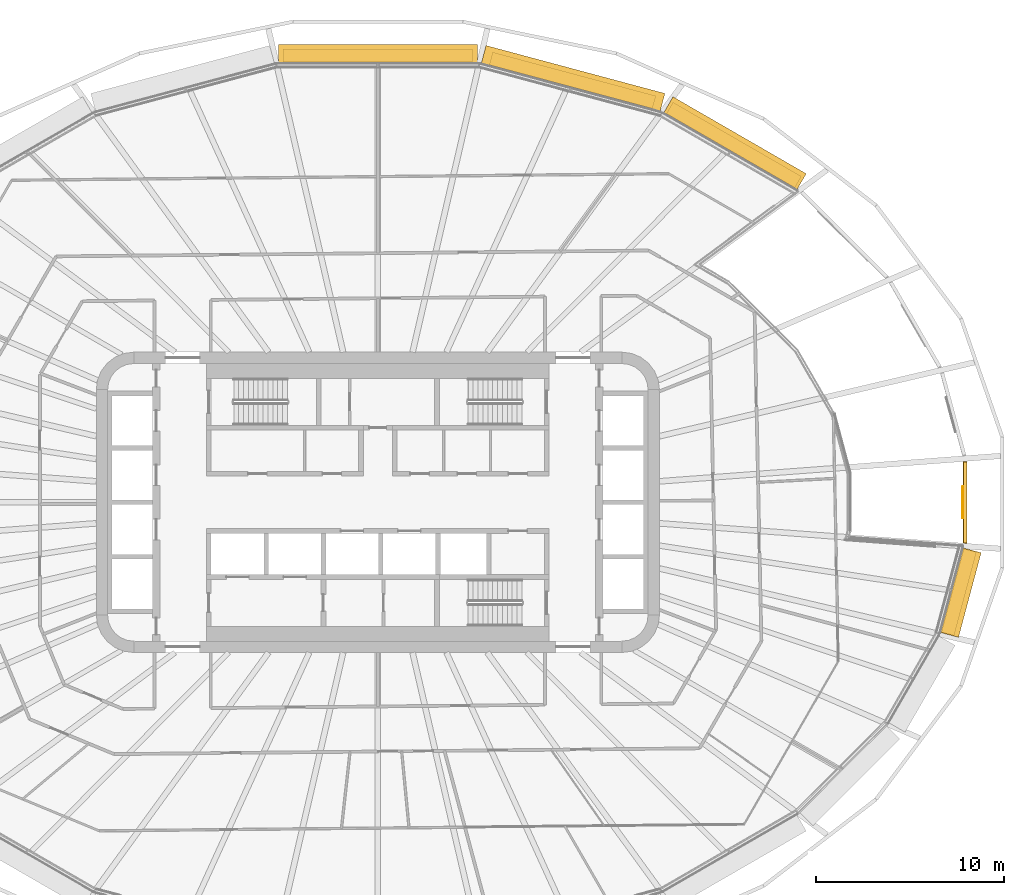
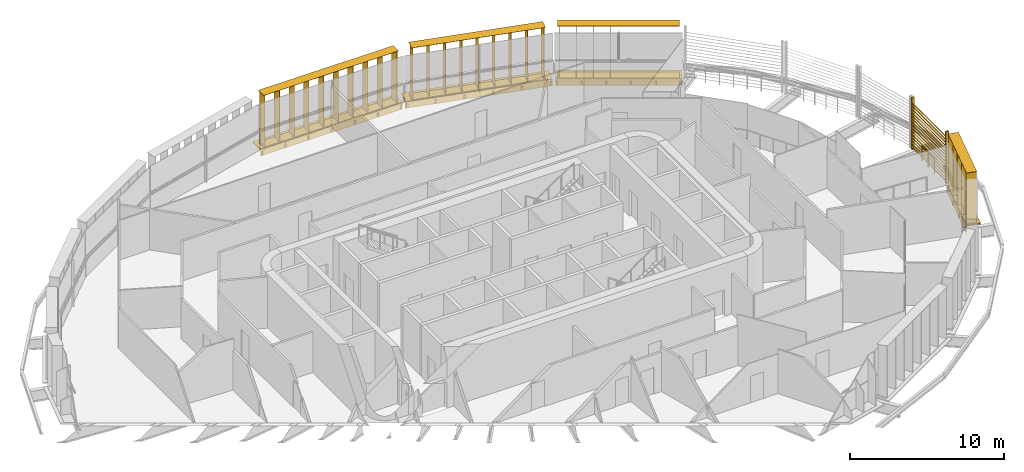
# One storey, part 24 of 24: 9 shading devices, 1 railing.
"""IFC4 building model written with IfcOpenShell, lengths in metres."""

from ifc_helpers import new_model, si_unit, direction, frame, origin, origin_2d, place, context, subcontext, project, spatial, rectangle, circle, extrude, material, type_object, element, save


model = new_model("IFC4")

# Units and contexts
model_context = context("Model", 3, precision=1e-05, world=origin(), true_north=direction((0.0, 1.0)))
body_context = subcontext(model_context, "Body", "Model", "MODEL_VIEW")
ifc_project = project(units=[si_unit("LENGTHUNIT", "METRE"), si_unit("AREAUNIT", "SQUARE_METRE"), si_unit("VOLUMEUNIT", "CUBIC_METRE"), si_unit("PLANEANGLEUNIT", "RADIAN"), si_unit("MASSUNIT", "GRAM", prefix="KILO")], contexts=[model_context])

# Site, building, storey
site_placement = place(None, origin())
site = spatial("IfcSite", under=ifc_project, at=site_placement, CompositionType="ELEMENT")
building_placement = place(site_placement, origin())
building = spatial("IfcBuilding", under=site, at=building_placement, Name="Sahrelin Media Tower", CompositionType="ELEMENT")
storey_placement = place(building_placement, frame((0.0, 0.0, 71.39990234375)))
storey = spatial("IfcBuildingStorey", under=building, at=storey_placement, Name="L12", CompositionType="ELEMENT", Elevation=71.39990234375)

# Shading devices
ifc_material_1 = material(Name="Champagne anodised aluminium 6063-T6", Category="aluminium")
shading_device_type_1 = type_object("IfcShadingDeviceType", Name="Fin cassette", PredefinedType="USERDEFINED", material=ifc_material_1)
placement_1 = place(storey_placement, frame((18.75830078125, 18.672119140625, 0.0), z_axis=(0.0, 0.0, 1.0), x_axis=(0.866019052629, -0.500011000363, 0.0)))
element("IfcShadingDevice", 1, at=placement_1, inside=storey, type_object=shading_device_type_1, Name="L12:FIN:L12-04", ObjectType="FIN", PredefinedType="USERDEFINED", context=body_context, shape_type="SweptSolid", body=[
    extrude(rectangle(XDim=7.89990234375, YDim=0.699951171875, at=origin_2d()), frame((0.0, 0.419921875, 0.0)), (0.0, 0.0, 1.0), 0.02001953125),
    extrude(rectangle(XDim=7.89990234375, YDim=0.699951171875, at=origin_2d()), frame((0.0, 0.419921875, 4.10009765625)), (0.0, 0.0, 1.0), 0.02001953125),
    extrude(rectangle(XDim=0.02001953125, YDim=0.699951171875, at=origin_2d()), frame((-3.85009765625, 0.419921875, 0.010009765625), z_axis=(0.0, 0.0, 1.0), x_axis=(1.0, 0.0, 0.0)), (0.0, 0.0, 1.0), 4.10009765625),
    extrude(rectangle(XDim=0.02001953125, YDim=0.699951171875, at=origin_2d()), frame((-2.75, 0.419921875, 0.010009765625), z_axis=(0.0, 0.0, 1.0), x_axis=(1.0, 0.0, 0.0)), (0.0, 0.0, 1.0), 4.10009765625),
    extrude(rectangle(XDim=0.02001953125, YDim=0.699951171875, at=origin_2d()), frame((-1.64990234375, 0.419921875, 0.010009765625), z_axis=(0.0, 0.0, 1.0), x_axis=(1.0, 0.0, 0.0)), (0.0, 0.0, 1.0), 4.10009765625),
    extrude(rectangle(XDim=0.02001953125, YDim=0.699951171875, at=origin_2d()), frame((-0.550048828125, 0.419921875, 0.010009765625), z_axis=(0.0, 0.0, 1.0), x_axis=(1.0, 0.0, 0.0)), (0.0, 0.0, 1.0), 4.10009765625),
    extrude(rectangle(XDim=0.02001953125, YDim=0.699951171875, at=origin_2d()), frame((0.550048828125, 0.419921875, 0.010009765625), z_axis=(0.0, 0.0, 1.0), x_axis=(1.0, 0.0, 0.0)), (0.0, 0.0, 1.0), 4.10009765625),
    extrude(rectangle(XDim=0.02001953125, YDim=0.699951171875, at=origin_2d()), frame((1.64990234375, 0.419921875, 0.010009765625), z_axis=(0.0, 0.0, 1.0), x_axis=(1.0, 0.0, 0.0)), (0.0, 0.0, 1.0), 4.10009765625),
    extrude(rectangle(XDim=0.02001953125, YDim=0.699951171875, at=origin_2d()), frame((2.75, 0.419921875, 0.010009765625), z_axis=(0.0, 0.0, 1.0), x_axis=(1.0, 0.0, 0.0)), (0.0, 0.0, 1.0), 4.10009765625),
    extrude(rectangle(XDim=0.02001953125, YDim=0.699951171875, at=origin_2d()), frame((3.85009765625, 0.419921875, 0.010009765625), z_axis=(0.0, 0.0, 1.0), x_axis=(1.0, 0.0, 0.0)), (0.0, 0.0, 1.0), 4.10009765625),
])
placement_2 = place(storey_placement, frame((10.263916015625, 22.072509765625, 0.0), z_axis=(0.0, 0.0, 1.0), x_axis=(0.965928857556, -0.258807731996, 0.0)))
element("IfcShadingDevice", 2, at=placement_2, inside=storey, type_object=shading_device_type_1, Name="L12:FIN:L12-05", ObjectType="FIN", PredefinedType="USERDEFINED", context=body_context, shape_type="SweptSolid", body=[
    extrude(rectangle(XDim=9.0, YDim=0.699951171875, at=origin_2d()), frame((0.0, 0.419921875, 0.0)), (0.0, 0.0, 1.0), 0.02001953125),
    extrude(rectangle(XDim=9.0, YDim=0.699951171875, at=origin_2d()), frame((0.0, 0.419921875, 4.10009765625)), (0.0, 0.0, 1.0), 0.02001953125),
    extrude(rectangle(XDim=0.02001953125, YDim=0.699951171875, at=origin_2d()), frame((-4.39990234375, 0.419921875, 0.010009765625), z_axis=(0.0, 0.0, 1.0), x_axis=(1.0, 0.0, 0.0)), (0.0, 0.0, 1.0), 4.10009765625),
    extrude(rectangle(XDim=0.02001953125, YDim=0.699951171875, at=origin_2d()), frame((-3.300048828125, 0.419921875, 0.010009765625), z_axis=(0.0, 0.0, 1.0), x_axis=(1.0, 0.0, 0.0)), (0.0, 0.0, 1.0), 4.10009765625),
    extrude(rectangle(XDim=0.02001953125, YDim=0.699951171875, at=origin_2d()), frame((-2.199951171875, 0.419921875, 0.010009765625), z_axis=(0.0, 0.0, 1.0), x_axis=(1.0, 0.0, 0.0)), (0.0, 0.0, 1.0), 4.10009765625),
    extrude(rectangle(XDim=0.02001953125, YDim=0.699951171875, at=origin_2d()), frame((-1.10009765625, 0.419921875, 0.010009765625), z_axis=(0.0, 0.0, 1.0), x_axis=(1.0, 0.0, 0.0)), (0.0, 0.0, 1.0), 4.10009765625),
    extrude(rectangle(XDim=0.02001953125, YDim=0.699951171875, at=origin_2d()), frame((0.0, 0.419921875, 0.010009765625), z_axis=(0.0, 0.0, 1.0), x_axis=(1.0, 0.0, 0.0)), (0.0, 0.0, 1.0), 4.10009765625),
    extrude(rectangle(XDim=0.02001953125, YDim=0.699951171875, at=origin_2d()), frame((1.10009765625, 0.419921875, 0.010009765625), z_axis=(0.0, 0.0, 1.0), x_axis=(1.0, 0.0, 0.0)), (0.0, 0.0, 1.0), 4.10009765625),
    extrude(rectangle(XDim=0.02001953125, YDim=0.699951171875, at=origin_2d()), frame((2.199951171875, 0.419921875, 0.010009765625), z_axis=(0.0, 0.0, 1.0), x_axis=(1.0, 0.0, 0.0)), (0.0, 0.0, 1.0), 4.10009765625),
    extrude(rectangle(XDim=0.02001953125, YDim=0.699951171875, at=origin_2d()), frame((3.300048828125, 0.419921875, 0.010009765625), z_axis=(0.0, 0.0, 1.0), x_axis=(1.0, 0.0, 0.0)), (0.0, 0.0, 1.0), 4.10009765625),
    extrude(rectangle(XDim=0.02001953125, YDim=0.699951171875, at=origin_2d()), frame((4.39990234375, 0.419921875, 0.010009765625), z_axis=(0.0, 0.0, 1.0), x_axis=(1.0, 0.0, 0.0)), (0.0, 0.0, 1.0), 4.10009765625),
])
placement_3 = place(storey_placement, frame((0.0, 23.374755859375, 0.0), z_axis=(0.0, 0.0, 1.0), x_axis=(1.0, 0.0, 0.0)))
element("IfcShadingDevice", 3, at=placement_3, inside=storey, type_object=shading_device_type_1, Name="L12:FIN:L12-06", ObjectType="FIN", PredefinedType="USERDEFINED", context=body_context, shape_type="SweptSolid", body=[
    extrude(rectangle(XDim=10.10009765625, YDim=0.699951171875, at=origin_2d()), frame((0.0, 0.419921875, 0.0)), (0.0, 0.0, 1.0), 0.02001953125),
    extrude(rectangle(XDim=10.10009765625, YDim=0.699951171875, at=origin_2d()), frame((0.0, 0.419921875, 4.10009765625)), (0.0, 0.0, 1.0), 0.02001953125),
    extrude(rectangle(XDim=0.02001953125, YDim=0.699951171875, at=origin_2d()), frame((-4.949951171875, 0.419921875, 0.010009765625), z_axis=(0.0, 0.0, 1.0), x_axis=(1.0, 0.0, 0.0)), (0.0, 0.0, 1.0), 4.10009765625),
    extrude(rectangle(XDim=0.02001953125, YDim=0.699951171875, at=origin_2d()), frame((-3.85009765625, 0.419921875, 0.010009765625), z_axis=(0.0, 0.0, 1.0), x_axis=(1.0, 0.0, 0.0)), (0.0, 0.0, 1.0), 4.10009765625),
    extrude(rectangle(XDim=0.02001953125, YDim=0.699951171875, at=origin_2d()), frame((-2.75, 0.419921875, 0.010009765625), z_axis=(0.0, 0.0, 1.0), x_axis=(1.0, 0.0, 0.0)), (0.0, 0.0, 1.0), 4.10009765625),
    extrude(rectangle(XDim=0.02001953125, YDim=0.699951171875, at=origin_2d()), frame((-1.64990234375, 0.419921875, 0.010009765625), z_axis=(0.0, 0.0, 1.0), x_axis=(1.0, 0.0, 0.0)), (0.0, 0.0, 1.0), 4.10009765625),
    extrude(rectangle(XDim=0.02001953125, YDim=0.699951171875, at=origin_2d()), frame((-0.550048828125, 0.419921875, 0.010009765625), z_axis=(0.0, 0.0, 1.0), x_axis=(1.0, 0.0, 0.0)), (0.0, 0.0, 1.0), 4.10009765625),
    extrude(rectangle(XDim=0.02001953125, YDim=0.699951171875, at=origin_2d()), frame((0.550048828125, 0.419921875, 0.010009765625), z_axis=(0.0, 0.0, 1.0), x_axis=(1.0, 0.0, 0.0)), (0.0, 0.0, 1.0), 4.10009765625),
    extrude(rectangle(XDim=0.02001953125, YDim=0.699951171875, at=origin_2d()), frame((1.64990234375, 0.419921875, 0.010009765625), z_axis=(0.0, 0.0, 1.0), x_axis=(1.0, 0.0, 0.0)), (0.0, 0.0, 1.0), 4.10009765625),
    extrude(rectangle(XDim=0.02001953125, YDim=0.699951171875, at=origin_2d()), frame((2.75, 0.419921875, 0.010009765625), z_axis=(0.0, 0.0, 1.0), x_axis=(1.0, 0.0, 0.0)), (0.0, 0.0, 1.0), 4.10009765625),
    extrude(rectangle(XDim=0.02001953125, YDim=0.699951171875, at=origin_2d()), frame((3.85009765625, 0.419921875, 0.010009765625), z_axis=(0.0, 0.0, 1.0), x_axis=(1.0, 0.0, 0.0)), (0.0, 0.0, 1.0), 4.10009765625),
    extrude(rectangle(XDim=0.02001953125, YDim=0.699951171875, at=origin_2d()), frame((4.949951171875, 0.419921875, 0.010009765625), z_axis=(0.0, 0.0, 1.0), x_axis=(1.0, 0.0, 0.0)), (0.0, 0.0, 1.0), 4.10009765625),
])
placement_4 = place(storey_placement, frame((30.54736328125, -4.67333984375, 0.0), z_axis=(0.0, 0.0, 1.0), x_axis=(-0.258807731996, -0.965928857556, 0.0)))
element("IfcShadingDevice", 4, at=placement_4, inside=storey, type_object=shading_device_type_1, Name="L12:FIN:L12-23", ObjectType="FIN", PredefinedType="USERDEFINED", context=body_context, shape_type="SweptSolid", body=[
    extrude(rectangle(XDim=4.60009765625, YDim=0.699951171875, at=origin_2d()), frame((0.0, 0.419921875, 0.0)), (0.0, 0.0, 1.0), 0.02001953125),
    extrude(rectangle(XDim=4.60009765625, YDim=0.699951171875, at=origin_2d()), frame((0.0, 0.419921875, 4.10009765625)), (0.0, 0.0, 1.0), 0.02001953125),
    extrude(rectangle(XDim=0.02001953125, YDim=0.699951171875, at=origin_2d()), frame((-2.199951171875, 0.419921875, 0.010009765625), z_axis=(0.0, 0.0, 1.0), x_axis=(1.0, 0.0, 0.0)), (0.0, 0.0, 1.0), 4.10009765625),
    extrude(rectangle(XDim=0.02001953125, YDim=0.699951171875, at=origin_2d()), frame((-1.10009765625, 0.419921875, 0.010009765625), z_axis=(0.0, 0.0, 1.0), x_axis=(1.0, 0.0, 0.0)), (0.0, 0.0, 1.0), 4.10009765625),
    extrude(rectangle(XDim=0.02001953125, YDim=0.699951171875, at=origin_2d()), frame((0.0, 0.419921875, 0.010009765625), z_axis=(0.0, 0.0, 1.0), x_axis=(1.0, 0.0, 0.0)), (0.0, 0.0, 1.0), 4.10009765625),
    extrude(rectangle(XDim=0.02001953125, YDim=0.699951171875, at=origin_2d()), frame((1.10009765625, 0.419921875, 0.010009765625), z_axis=(0.0, 0.0, 1.0), x_axis=(1.0, 0.0, 0.0)), (0.0, 0.0, 1.0), 4.10009765625),
    extrude(rectangle(XDim=0.02001953125, YDim=0.699951171875, at=origin_2d()), frame((2.199951171875, 0.419921875, 0.010009765625), z_axis=(0.0, 0.0, 1.0), x_axis=(1.0, 0.0, 0.0)), (0.0, 0.0, 1.0), 4.10009765625),
])
shading_device_type_2 = type_object("IfcShadingDeviceType", Name="Garden screen", PredefinedType="USERDEFINED", material=ifc_material_1)
shading_device_5_placement = place(storey_placement, frame((31.1767578125, 0.0, 0.0), z_axis=(0.0, 0.0, 1.0), x_axis=(0.0, -1.0, 0.0)))
element("IfcShadingDevice", 5, at=shading_device_5_placement, inside=storey, type_object=shading_device_type_2, Name="L12:SCREEN:L12-00", ObjectType="SCREEN", PredefinedType="USERDEFINED", context=body_context, shape_type="SweptSolid", body=[
    extrude(rectangle(XDim=0.1201171875, YDim=0.199951171875, at=origin_2d()), frame((2.214599609375, 0.10009765625, 0.050048828125), z_axis=(0.0, 0.0, 1.0), x_axis=(1.0, 0.0, 0.0)), (0.0, 0.0, 1.0), 4.099853515625),
    extrude(rectangle(XDim=0.1201171875, YDim=0.199951171875, at=origin_2d()), frame((-2.214599609375, 0.10009765625, 0.050048828125), z_axis=(0.0, 0.0, 1.0), x_axis=(1.0, 0.0, 0.0)), (0.0, 0.0, 1.0), 4.099853515625),
    extrude(rectangle(XDim=0.25, YDim=0.02001953125, at=origin_2d()), frame((2.15478515625, 0.10009765625, 0.14990234375), z_axis=(-1.0, 0.0, 0.0), x_axis=(0.0, -0.766044443119, 0.642787609687)), (0.0, 0.0, 1.0), 4.3095703125),
    extrude(rectangle(XDim=0.25, YDim=0.02001953125, at=origin_2d()), frame((2.15478515625, 0.10009765625, 0.39990234375), z_axis=(-1.0, 0.0, 0.0), x_axis=(0.0, -0.766044443119, 0.642787609687)), (0.0, 0.0, 1.0), 4.3095703125),
    extrude(rectangle(XDim=0.25, YDim=0.02001953125, at=origin_2d()), frame((2.15478515625, 0.10009765625, 0.64990234375), z_axis=(-1.0, 0.0, 0.0), x_axis=(0.0, -0.766044443119, 0.642787609687)), (0.0, 0.0, 1.0), 4.3095703125),
    extrude(rectangle(XDim=0.25, YDim=0.02001953125, at=origin_2d()), frame((2.15478515625, 0.10009765625, 0.89990234375), z_axis=(-1.0, 0.0, 0.0), x_axis=(0.0, -0.766044443119, 0.642787609687)), (0.0, 0.0, 1.0), 4.3095703125),
    extrude(rectangle(XDim=0.25, YDim=0.02001953125, at=origin_2d()), frame((2.15478515625, 0.10009765625, 1.14990234375), z_axis=(-1.0, 0.0, 0.0), x_axis=(0.0, -0.766044443119, 0.642787609687)), (0.0, 0.0, 1.0), 4.3095703125),
    extrude(rectangle(XDim=0.25, YDim=0.02001953125, at=origin_2d()), frame((2.15478515625, 0.10009765625, 1.39990234375), z_axis=(-1.0, 0.0, 0.0), x_axis=(0.0, -0.766044443119, 0.642787609687)), (0.0, 0.0, 1.0), 4.3095703125),
    extrude(rectangle(XDim=0.25, YDim=0.02001953125, at=origin_2d()), frame((2.15478515625, 0.10009765625, 1.64990234375), z_axis=(-1.0, 0.0, 0.0), x_axis=(0.0, -0.766044443119, 0.642787609687)), (0.0, 0.0, 1.0), 4.3095703125),
    extrude(rectangle(XDim=0.25, YDim=0.02001953125, at=origin_2d()), frame((2.15478515625, 0.10009765625, 1.89990234375), z_axis=(-1.0, 0.0, 0.0), x_axis=(0.0, -0.766044443119, 0.642787609687)), (0.0, 0.0, 1.0), 4.3095703125),
    extrude(rectangle(XDim=0.25, YDim=0.02001953125, at=origin_2d()), frame((2.15478515625, 0.10009765625, 2.14990234375), z_axis=(-1.0, 0.0, 0.0), x_axis=(0.0, -0.766044443119, 0.642787609687)), (0.0, 0.0, 1.0), 4.3095703125),
    extrude(rectangle(XDim=0.25, YDim=0.02001953125, at=origin_2d()), frame((2.15478515625, 0.10009765625, 2.39990234375), z_axis=(-1.0, 0.0, 0.0), x_axis=(0.0, -0.766044443119, 0.642787609687)), (0.0, 0.0, 1.0), 4.3095703125),
    extrude(rectangle(XDim=0.25, YDim=0.02001953125, at=origin_2d()), frame((2.15478515625, 0.10009765625, 2.64990234375), z_axis=(-1.0, 0.0, 0.0), x_axis=(0.0, -0.766044443119, 0.642787609687)), (0.0, 0.0, 1.0), 4.3095703125),
    extrude(rectangle(XDim=0.25, YDim=0.02001953125, at=origin_2d()), frame((2.15478515625, 0.10009765625, 2.89990234375), z_axis=(-1.0, 0.0, 0.0), x_axis=(0.0, -0.766044443119, 0.642787609687)), (0.0, 0.0, 1.0), 4.3095703125),
    extrude(rectangle(XDim=0.25, YDim=0.02001953125, at=origin_2d()), frame((2.15478515625, 0.10009765625, 3.14990234375), z_axis=(-1.0, 0.0, 0.0), x_axis=(0.0, -0.766044443119, 0.642787609687)), (0.0, 0.0, 1.0), 4.3095703125),
    extrude(rectangle(XDim=0.25, YDim=0.02001953125, at=origin_2d()), frame((2.15478515625, 0.10009765625, 3.39990234375), z_axis=(-1.0, 0.0, 0.0), x_axis=(0.0, -0.766044443119, 0.642787609687)), (0.0, 0.0, 1.0), 4.3095703125),
    extrude(rectangle(XDim=0.25, YDim=0.02001953125, at=origin_2d()), frame((2.15478515625, 0.10009765625, 3.64990234375), z_axis=(-1.0, 0.0, 0.0), x_axis=(0.0, -0.766044443119, 0.642787609687)), (0.0, 0.0, 1.0), 4.3095703125),
])

# Railing
ifc_material_2 = material(Name="Stainless steel 316", Category="steel")
railing_type = type_object("IfcRailingType", Name="Sky garden guard", PredefinedType="GUARDRAIL", material=ifc_material_2)
railing_placement = place(storey_placement, frame((31.154296875, 0.826904296875, 0.0)))
element("IfcRailing", 6, at=railing_placement, inside=storey, type_object=railing_type, Name="Sky garden void guard G1-5", PredefinedType="GUARDRAIL", context=body_context, shape_type="SweptSolid", body=[
    extrude(circle(Radius=0.02392578125, at=origin_2d()), frame((0.0, 0.0, 1.17578125), z_axis=(0.0, -1.0, 0.0), x_axis=(1.0, 0.0, 0.0)), (0.0, 0.0, 1.0), 1.65380859375),
    extrude(circle(Radius=0.02099609375, at=origin_2d()), origin(), (0.0, 0.0, 1.0), 1.15185546875),
    extrude(circle(Radius=0.02099609375, at=origin_2d()), frame((0.0, -0.826904296875, 0.0)), (0.0, 0.0, 1.0), 1.15185546875),
    extrude(circle(Radius=0.02099609375, at=origin_2d()), frame((0.0, -1.65380859375, 0.0)), (0.0, 0.0, 1.0), 1.15185546875),
])

# Shading devices
shading_device_type_3 = type_object("IfcShadingDeviceType", Name="Sunshade band", PredefinedType="USERDEFINED", material=ifc_material_1)
element("IfcShadingDevice", 7, at=placement_1, inside=storey, type_object=shading_device_type_3, Name="L12:SUN:L12-04", ObjectType="SUNSHADE", PredefinedType="USERDEFINED", context=body_context, shape_type="SweptSolid", body=[
    extrude(rectangle(XDim=8.1923828125, YDim=0.050048828125, at=origin_2d()), frame((0.0, 0.044921875, -0.55126953125)), (0.0, 0.0, 1.0), 0.471435546875),
    extrude(rectangle(XDim=8.1923828125, YDim=1.0, at=origin_2d()), frame((0.0, 0.52001953125, -0.080078125)), (0.0, 0.0, 1.0), 0.080078125),
    extrude(rectangle(XDim=0.10009765625, YDim=0.074951171875, at=origin_2d()), frame((-3.99609375, -0.017578125, -0.47021484375)), (0.0, 0.0, 1.0), 0.300048828125),
    extrude(rectangle(XDim=0.10009765625, YDim=0.074951171875, at=origin_2d()), frame((-2.397705078125, -0.017578125, -0.47021484375)), (0.0, 0.0, 1.0), 0.300048828125),
    extrude(rectangle(XDim=0.10009765625, YDim=0.074951171875, at=origin_2d()), frame((-0.79931640625, -0.017578125, -0.47021484375)), (0.0, 0.0, 1.0), 0.300048828125),
    extrude(rectangle(XDim=0.10009765625, YDim=0.074951171875, at=origin_2d()), frame((0.79931640625, -0.017578125, -0.47021484375)), (0.0, 0.0, 1.0), 0.300048828125),
    extrude(rectangle(XDim=0.10009765625, YDim=0.074951171875, at=origin_2d()), frame((2.397705078125, -0.017578125, -0.47021484375)), (0.0, 0.0, 1.0), 0.300048828125),
    extrude(rectangle(XDim=0.10009765625, YDim=0.074951171875, at=origin_2d()), frame((3.99609375, -0.017578125, -0.47021484375)), (0.0, 0.0, 1.0), 0.300048828125),
])
element("IfcShadingDevice", 8, at=placement_2, inside=storey, type_object=shading_device_type_3, Name="L12:SUN:L12-05", ObjectType="SUNSHADE", PredefinedType="USERDEFINED", context=body_context, shape_type="SweptSolid", body=[
    extrude(rectangle(XDim=9.86328125, YDim=0.050048828125, at=origin_2d()), frame((0.0, 0.044921875, -0.55126953125)), (0.0, 0.0, 1.0), 0.471435546875),
    extrude(rectangle(XDim=9.86328125, YDim=1.0, at=origin_2d()), frame((0.0, 0.52001953125, -0.080078125)), (0.0, 0.0, 1.0), 0.080078125),
    extrude(rectangle(XDim=0.10009765625, YDim=0.074951171875, at=origin_2d()), frame((-4.831787109375, -0.017578125, -0.47021484375)), (0.0, 0.0, 1.0), 0.300048828125),
    extrude(rectangle(XDim=0.10009765625, YDim=0.074951171875, at=origin_2d()), frame((-2.89892578125, -0.017578125, -0.47021484375)), (0.0, 0.0, 1.0), 0.300048828125),
    extrude(rectangle(XDim=0.10009765625, YDim=0.074951171875, at=origin_2d()), frame((-0.96630859375, -0.017578125, -0.47021484375)), (0.0, 0.0, 1.0), 0.300048828125),
    extrude(rectangle(XDim=0.10009765625, YDim=0.074951171875, at=origin_2d()), frame((0.96630859375, -0.017578125, -0.47021484375)), (0.0, 0.0, 1.0), 0.300048828125),
    extrude(rectangle(XDim=0.10009765625, YDim=0.074951171875, at=origin_2d()), frame((2.89892578125, -0.017578125, -0.47021484375)), (0.0, 0.0, 1.0), 0.300048828125),
    extrude(rectangle(XDim=0.10009765625, YDim=0.074951171875, at=origin_2d()), frame((4.831787109375, -0.017578125, -0.47021484375)), (0.0, 0.0, 1.0), 0.300048828125),
])
element("IfcShadingDevice", 9, at=placement_3, inside=storey, type_object=shading_device_type_3, Name="L12:SUN:L12-06", ObjectType="SUNSHADE", PredefinedType="USERDEFINED", context=body_context, shape_type="SweptSolid", body=[
    extrude(rectangle(XDim=10.607421875, YDim=0.050048828125, at=origin_2d()), frame((0.0, 0.044921875, -0.55126953125)), (0.0, 0.0, 1.0), 0.471435546875),
    extrude(rectangle(XDim=10.607421875, YDim=1.0, at=origin_2d()), frame((0.0, 0.52001953125, -0.080078125)), (0.0, 0.0, 1.0), 0.080078125),
    extrude(rectangle(XDim=0.10009765625, YDim=0.074951171875, at=origin_2d()), frame((-5.20361328125, -0.017578125, -0.47021484375)), (0.0, 0.0, 1.0), 0.300048828125),
    extrude(rectangle(XDim=0.10009765625, YDim=0.074951171875, at=origin_2d()), frame((-3.468994140625, -0.017578125, -0.47021484375)), (0.0, 0.0, 1.0), 0.300048828125),
    extrude(rectangle(XDim=0.10009765625, YDim=0.074951171875, at=origin_2d()), frame((-1.734619140625, -0.017578125, -0.47021484375)), (0.0, 0.0, 1.0), 0.300048828125),
    extrude(rectangle(XDim=0.10009765625, YDim=0.074951171875, at=origin_2d()), frame((0.0, -0.017578125, -0.47021484375)), (0.0, 0.0, 1.0), 0.300048828125),
    extrude(rectangle(XDim=0.10009765625, YDim=0.074951171875, at=origin_2d()), frame((1.734619140625, -0.017578125, -0.47021484375)), (0.0, 0.0, 1.0), 0.300048828125),
    extrude(rectangle(XDim=0.10009765625, YDim=0.074951171875, at=origin_2d()), frame((3.468994140625, -0.017578125, -0.47021484375)), (0.0, 0.0, 1.0), 0.300048828125),
    extrude(rectangle(XDim=0.10009765625, YDim=0.074951171875, at=origin_2d()), frame((5.20361328125, -0.017578125, -0.47021484375)), (0.0, 0.0, 1.0), 0.300048828125),
])
element("IfcShadingDevice", 10, at=placement_4, inside=storey, type_object=shading_device_type_3, Name="L12:SUN:L12-23", ObjectType="SUNSHADE", PredefinedType="USERDEFINED", context=body_context, shape_type="SweptSolid", body=[
    extrude(rectangle(XDim=4.6630859375, YDim=0.050048828125, at=origin_2d()), frame((0.0, 0.044921875, -0.55126953125)), (0.0, 0.0, 1.0), 0.471435546875),
    extrude(rectangle(XDim=4.6630859375, YDim=1.0, at=origin_2d()), frame((0.0, 0.52001953125, -0.080078125)), (0.0, 0.0, 1.0), 0.080078125),
    extrude(rectangle(XDim=0.10009765625, YDim=0.074951171875, at=origin_2d()), frame((-2.2314453125, -0.017578125, -0.47021484375)), (0.0, 0.0, 1.0), 0.300048828125),
    extrude(rectangle(XDim=0.10009765625, YDim=0.074951171875, at=origin_2d()), frame((-0.743896484375, -0.017578125, -0.47021484375)), (0.0, 0.0, 1.0), 0.300048828125),
    extrude(rectangle(XDim=0.10009765625, YDim=0.074951171875, at=origin_2d()), frame((0.743896484375, -0.017578125, -0.47021484375)), (0.0, 0.0, 1.0), 0.300048828125),
    extrude(rectangle(XDim=0.10009765625, YDim=0.074951171875, at=origin_2d()), frame((2.2314453125, -0.017578125, -0.47021484375)), (0.0, 0.0, 1.0), 0.300048828125),
])

save(model, "model.ifc")
